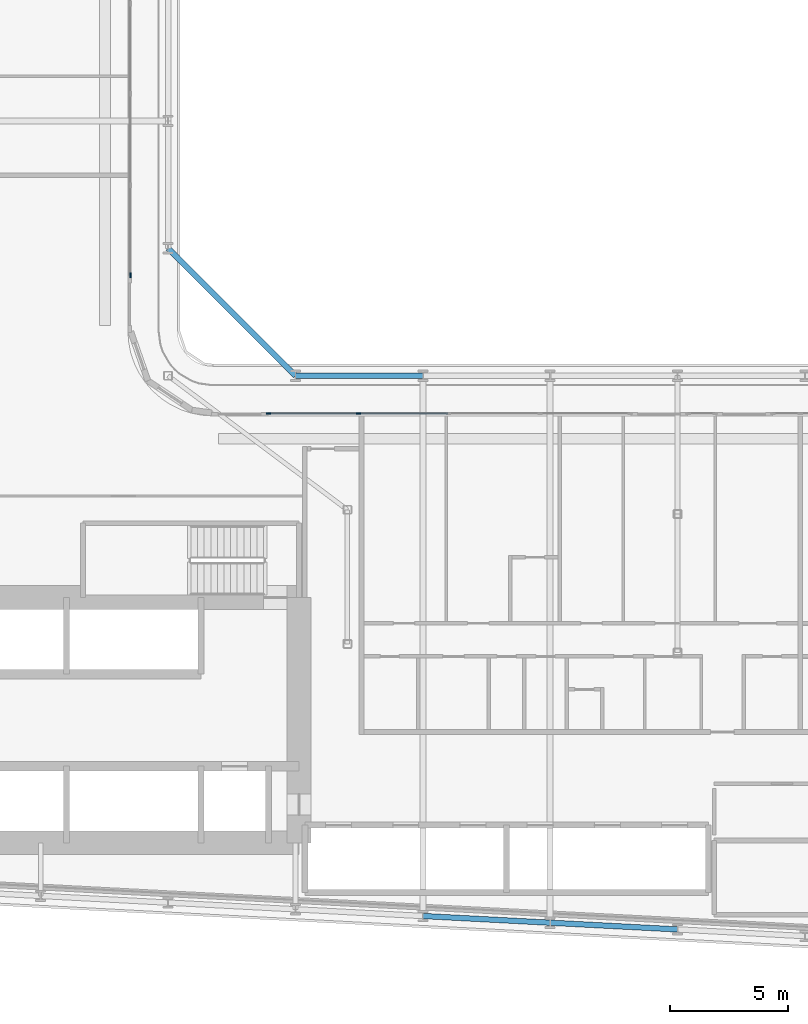
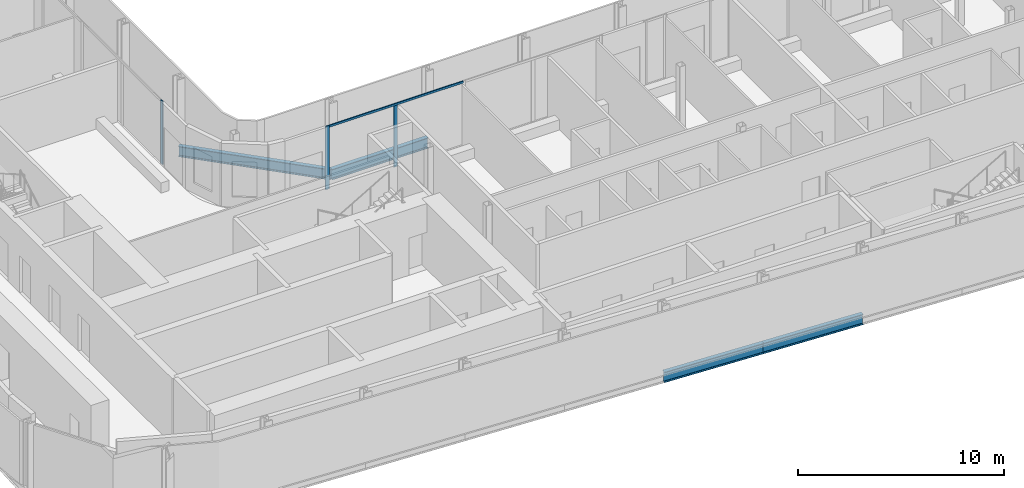
# One storey, part 4 of 29: 4 beams, 4 members, 2 elements without a shape of their own.
"""IFC4 building model written with IfcOpenShell, lengths in metres."""

from ifc_helpers import new_model, si_unit, direction, frame, origin, origin_2d, place, context, subcontext, project, spatial, rectangle, i_section, extrude, material, layer, layer_set, material_profile, profile_set, type_object, element, aggregate, save


model = new_model("IFC4")

# Units and contexts
model_context = context("Model", 3, precision=1e-05, world=origin(), true_north=direction((0.0, 1.0)))
body_context = subcontext(model_context, "Body", "Model", "MODEL_VIEW")
ifc_project = project(units=[si_unit("LENGTHUNIT", "METRE"), si_unit("AREAUNIT", "SQUARE_METRE"), si_unit("VOLUMEUNIT", "CUBIC_METRE"), si_unit("PLANEANGLEUNIT", "RADIAN"), si_unit("MASSUNIT", "GRAM", prefix="KILO")], contexts=[model_context])

# Site, building, storey
site_placement = place(None, origin())
site = spatial("IfcSite", under=ifc_project, at=site_placement, CompositionType="ELEMENT")
building_placement = place(site_placement, origin())
building = spatial("IfcBuilding", under=site, at=building_placement, Name="Kheshtan School and Residences Tower", CompositionType="ELEMENT")
storey_placement = place(building_placement, frame((0.0, 0.0, 69.5)))
storey = spatial("IfcBuildingStorey", under=building, at=storey_placement, Name="L16", CompositionType="ELEMENT", Elevation=69.5)

# Beams
ifc_material_1 = material(Name="Steel ASTM A992 Grade 50", Category="steel")
ifc_material_profile_1 = material_profile(ifc_material_1, i_section(OverallWidth=0.22998046875, OverallDepth=0.616943359375, WebThickness=0.01318359375, FlangeThickness=0.022216796875, FilletRadius=0.0185546875, at=origin_2d()), Name="W610x140")
ifc_profile_set_1 = profile_set([ifc_material_profile_1], Name="Steel ASTM A992 Grade 50")
beam_type = type_object("IfcBeamType", Name="Beam SP1 W610x140 ASTM A992 Grade 50", PredefinedType="BEAM", material=ifc_profile_set_1)
beam_1_placement = place(storey_placement, frame((47.60009765625, 51.0, -0.45849609375), z_axis=(0.707106781187, -0.707106781187, 0.0), x_axis=(0.707106781187, 0.707106781187, 0.0)))
element("IfcBeam", 1, at=beam_1_placement, inside=storey, type_object=beam_type, Name="Spandrel beam C079-C061", PredefinedType="BEAM", context=body_context, shape_type="SweptSolid", body=[
    extrude(i_section(OverallWidth=0.22998046875, OverallDepth=0.616943359375, WebThickness=0.01318359375, FlangeThickness=0.022216796875, FilletRadius=0.0185546875, at=origin_2d()), origin(), (0.0, 0.0, 1.0), 7.63671875),
])
beam_2_placement = place(storey_placement, frame((53.0, 45.60009765625, -0.45849609375), z_axis=(1.0, 0.0, 0.0), x_axis=(0.0, 1.0, 0.0)))
element("IfcBeam", 2, at=beam_2_placement, inside=storey, type_object=beam_type, Name="Spandrel beam C061-C062", PredefinedType="BEAM", context=body_context, shape_type="SweptSolid", body=[
    extrude(i_section(OverallWidth=0.22998046875, OverallDepth=0.616943359375, WebThickness=0.01318359375, FlangeThickness=0.022216796875, FilletRadius=0.0185546875, at=origin_2d()), origin(), (0.0, 0.0, 1.0), 5.39990234375),
])
beam_3_placement = place(storey_placement, frame((69.199951171875, 22.126953125, -0.45849609375), z_axis=(-0.998620447272, 0.05250906864, 0.0), x_axis=(-0.05250906864, -0.998620447272, 0.0)))
element("IfcBeam", 3, at=beam_3_placement, inside=storey, type_object=beam_type, Name="Spandrel beam C014-C016", PredefinedType="BEAM", context=body_context, shape_type="SweptSolid", body=[
    extrude(i_section(OverallWidth=0.22998046875, OverallDepth=0.616943359375, WebThickness=0.01318359375, FlangeThickness=0.022216796875, FilletRadius=0.0185546875, at=origin_2d()), origin(), (0.0, 0.0, 1.0), 5.407470703125),
])
beam_4_placement = place(storey_placement, frame((63.800048828125, 22.410888671875, -0.45849609375), z_axis=(-0.998618203458, 0.052551724256, 0.0), x_axis=(-0.052551724256, -0.998618203458, 0.0)))
element("IfcBeam", 4, at=beam_4_placement, inside=storey, type_object=beam_type, Name="Spandrel beam C016-C018", PredefinedType="BEAM", context=body_context, shape_type="SweptSolid", body=[
    extrude(i_section(OverallWidth=0.22998046875, OverallDepth=0.616943359375, WebThickness=0.01318359375, FlangeThickness=0.022216796875, FilletRadius=0.0185546875, at=origin_2d()), origin(), (0.0, 0.0, 1.0), 5.40771484375),
])

# Curtain wall, member
ifc_material_2 = material(Name="Clear low-e glass in thermally broken aluminium frame", Category="aluminium")
ifc_layer = layer(ifc_material_2, 0.199951171875)
ifc_layer_set = layer_set([ifc_layer], Name="Curtain wall CW-L")
curtain_wall_type = type_object("IfcCurtainWallType", Name="Curtain wall CW-L", PredefinedType="NOTDEFINED", material=ifc_layer_set)
curtain_wall_1_placement = place(storey_placement, origin())
curtain_wall_1 = element("IfcCurtainWall", 5, at=curtain_wall_1_placement, inside=storey, type_object=curtain_wall_type, Name="Curtain wall CWL8", PredefinedType="NOTDEFINED")
ifc_material_3 = material(Name="Thermally broken aluminium, dark bronze anodised", Category="aluminium")
ifc_material_profile_2 = material_profile(ifc_material_3, rectangle(XDim=0.06005859375, YDim=0.199951171875, at=origin_2d()), Name="CW-L mullion 60x200")
ifc_profile_set_2 = profile_set([ifc_material_profile_2], Name="Thermally broken aluminium, dark bronze anodised")
member_type_1 = type_object("IfcMemberType", Name="CW-L mullion 60x200", PredefinedType="MULLION", material=ifc_profile_set_2)
member_1_placement = place(storey_placement, frame((46.0, 49.860107421875, 0.0), z_axis=(0.0, 0.0, 1.0), x_axis=(1.0, 0.0, 0.0)))
member_1 = element("IfcMember", 6, at=member_1_placement, type_object=member_type_1, Name="CWL8 mullion 3", PredefinedType="MULLION", context=body_context, shape_type="SweptSolid", body=[
    extrude(rectangle(XDim=0.06005859375, YDim=0.199951171875, at=origin_2d()), origin(), (0.0, 0.0, 1.0), 3.75),
])
aggregate(curtain_wall_1, [member_1])

# Curtain wall, members
curtain_wall_2_placement = place(storey_placement, origin())
curtain_wall_2 = element("IfcCurtainWall", 7, at=curtain_wall_2_placement, inside=storey, type_object=curtain_wall_type, Name="Curtain wall CWL12j", PredefinedType="NOTDEFINED")
member_2_placement = place(storey_placement, frame((51.860107421875, 44.0, 0.0), z_axis=(0.0, 0.0, 1.0), x_axis=(0.0, 1.0, 0.0)))
member_2 = element("IfcMember", 8, at=member_2_placement, type_object=member_type_1, Name="CWL12j mullion 1", PredefinedType="MULLION", context=body_context, shape_type="SweptSolid", body=[
    extrude(rectangle(XDim=0.06005859375, YDim=0.199951171875, at=origin_2d()), origin(), (0.0, 0.0, 1.0), 3.75),
])
member_3_placement = place(storey_placement, frame((55.677001953125, 44.0, 0.0), z_axis=(0.0, 0.0, 1.0), x_axis=(0.0, 1.0, 0.0)))
member_3 = element("IfcMember", 9, at=member_3_placement, type_object=member_type_1, Name="CWL12j mullion 2", PredefinedType="MULLION", context=body_context, shape_type="SweptSolid", body=[
    extrude(rectangle(XDim=0.06005859375, YDim=0.199951171875, at=origin_2d()), origin(), (0.0, 0.0, 1.0), 3.6298828125),
])
ifc_material_profile_3 = material_profile(ifc_material_3, rectangle(XDim=0.06005859375, YDim=0.1201171875, at=origin_2d()), Name="CW-L transom 60x120")
ifc_profile_set_3 = profile_set([ifc_material_profile_3], Name="Thermally broken aluminium, dark bronze anodised")
member_type_2 = type_object("IfcMemberType", Name="CW-L transom 60x120", PredefinedType="USERDEFINED", material=ifc_profile_set_3)
member_4_placement = place(storey_placement, frame((51.889892578125, 44.0, 3.68994140625), z_axis=(1.0, 0.0, 0.0), x_axis=(0.0, 1.0, 0.0)))
member_4 = element("IfcMember", 10, at=member_4_placement, type_object=member_type_2, Name="CWL12j transom 1", ObjectType="TRANSOM", PredefinedType="USERDEFINED", context=body_context, shape_type="SweptSolid", body=[
    extrude(rectangle(XDim=0.06005859375, YDim=0.1201171875, at=origin_2d()), origin(), (0.0, 0.0, 1.0), 7.57421875),
])
aggregate(curtain_wall_2, [member_2, member_3, member_4])

save(model, "model.ifc")
